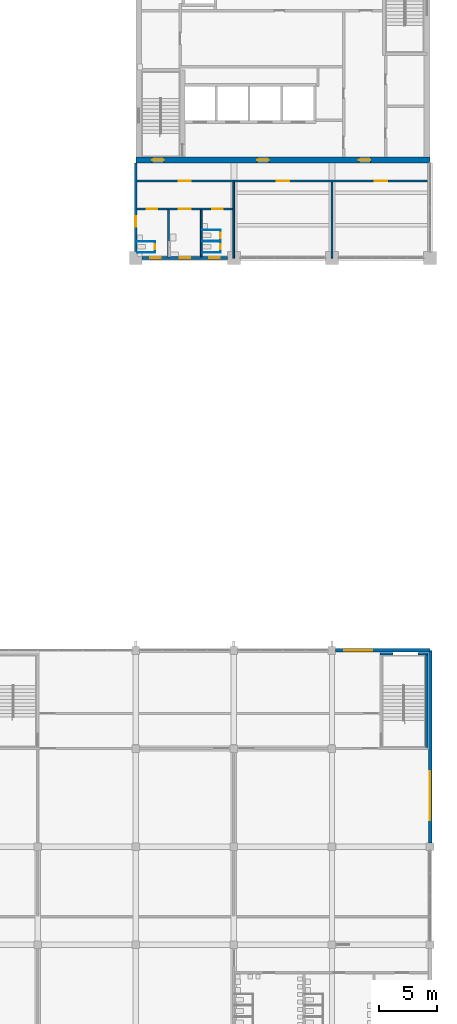
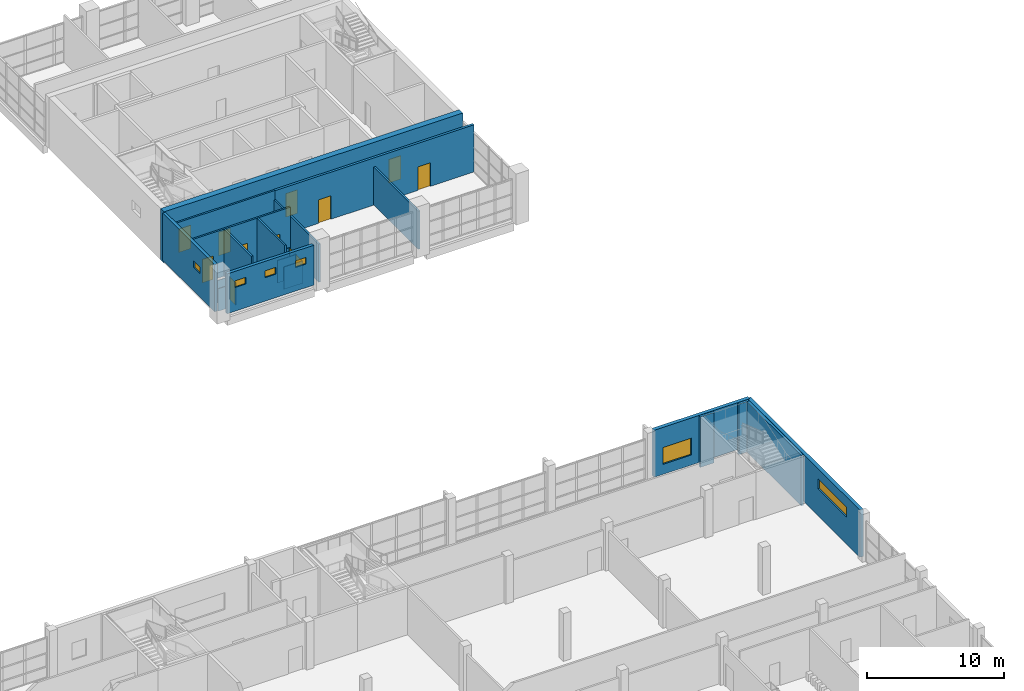
# One storey, part 35 of 64: 24 walls, 12 doors, 6 windows, 18 openings.
"""IFC4 building model written with IfcOpenShell, lengths in metres."""

from ifc_helpers import new_model, si_unit, direction, frame, frame_2d, origin, place, context, subcontext, project, spatial, rectangle, extrude, material, layer, layer_set, type_object, element, fill, save


model = new_model("IFC4")

# Units and contexts
model_context = context("Model", 3, precision=1e-05, world=origin(), true_north=direction((0.0, 1.0)))
body_context = subcontext(model_context, "Body", "Model", "MODEL_VIEW")
ifc_project = project(units=[si_unit("LENGTHUNIT", "METRE"), si_unit("AREAUNIT", "SQUARE_METRE"), si_unit("VOLUMEUNIT", "CUBIC_METRE"), si_unit("PLANEANGLEUNIT", "RADIAN"), si_unit("MASSUNIT", "GRAM", prefix="KILO")], contexts=[model_context])

# Site, building, storey
site_placement = place(None, origin())
site = spatial("IfcSite", under=ifc_project, at=site_placement, CompositionType="ELEMENT")
building_placement = place(site_placement, origin())
building = spatial("IfcBuilding", under=site, at=building_placement, Name="Rulbaag Community and Learning Centre", CompositionType="ELEMENT")
storey_placement = place(building_placement, frame((0.0, 0.0, 5.39990234375)))
storey = spatial("IfcBuildingStorey", under=building, at=storey_placement, Name="L01", CompositionType="ELEMENT", Elevation=5.39990234375)

# Walls
ifc_material_1 = material(Name="High pressure laminate", Category="wood")
ifc_layer_1 = layer(ifc_material_1, 0.0400390625)
ifc_layer_set_1 = layer_set([ifc_layer_1], Name="CP-40")
wall_type_1 = type_object("IfcWallType", Name="CP-40", PredefinedType="PARTITIONING", material=ifc_layer_set_1)
wall_1_placement = place(storey_placement, frame((142.929931640625, 84.5, 0.0), z_axis=(0.0, 0.0, 1.0), x_axis=(1.0, 0.0, 0.0)))
element("IfcWall", 1, at=wall_1_placement, inside=storey, type_object=wall_type_1, Name="Cubicle partition", PredefinedType="PARTITIONING", context=body_context, shape_type="SweptSolid", body=[
    extrude(rectangle(XDim=1.5400390625, YDim=0.0400390625, at=frame_2d((0.77001953125, 0.0))), origin(), (0.0, 0.0, 1.0), 2.0),
])
wall_2_placement = place(storey_placement, frame((142.925048828125, 85.43994140625, 0.0), z_axis=(0.0, 0.0, 1.0), x_axis=(1.0, 0.0, 0.0)))
element("IfcWall", 2, at=wall_2_placement, inside=storey, type_object=wall_type_1, Name="Cubicle partition", PredefinedType="PARTITIONING", context=body_context, shape_type="SweptSolid", body=[
    extrude(rectangle(XDim=1.544921875, YDim=0.0400390625, at=frame_2d((0.7724609375, 0.0))), origin(), (0.0, 0.0, 1.0), 2.0),
])

# Wall, opening, door
wall_3_placement = place(storey_placement, frame((144.449951171875, 84.52001953125, 0.0), z_axis=(0.0, 0.0, 1.0), x_axis=(0.0, 1.0, 0.0)))
wall_3 = element("IfcWall", 3, at=wall_3_placement, inside=storey, type_object=wall_type_1, Name="Cubicle partition", PredefinedType="PARTITIONING", context=body_context, shape_type="SweptSolid", body=[
    extrude(rectangle(XDim=0.89990234375, YDim=0.0400390625, at=frame_2d((0.449951171875, 0.0))), origin(), (0.0, 0.0, 1.0), 2.0),
])
opening_1_placement = place(wall_3_placement, frame((0.050048828125, 0.0, 0.0)))
opening_1 = element("IfcOpeningElement", 4, at=opening_1_placement, cuts=wall_3, Name="Opening L01-D096", PredefinedType="OPENING", context=body_context, shape_type="SweptSolid", body=[
    extrude(rectangle(XDim=0.800048828125, YDim=2.0, at=frame_2d((0.39990234375, 1.0))), frame((0.0, 0.030029296875, 0.0), z_axis=(0.0, -1.0, 0.0), x_axis=(1.0, 0.0, 0.0)), (0.0, 0.0, 1.0), 0.06005859375),
])
door_type_1 = type_object("IfcDoorType", Name="DC-80", OperationType="SINGLE_SWING_LEFT", PredefinedType="DOOR", material=ifc_material_1)
door_1_placement = place(opening_1_placement, origin())
door_1 = element("IfcDoor", 5, at=door_1_placement, inside=storey, type_object=door_type_1, Name="Cubicle door", OperationType="SINGLE_SWING_LEFT", OverallHeight=2.0, OverallWidth=0.800048828125, PredefinedType="DOOR", context=body_context, shape_type="SweptSolid", body=[
    extrude(rectangle(XDim=0.800048828125, YDim=2.0, at=frame_2d((0.39990234375, 1.0))), frame((0.0, 0.019775390625, 0.0), z_axis=(0.0, -1.0, 0.0), x_axis=(1.0, 0.0, 0.0)), (0.0, 0.0, 1.0), 0.03955078125),
])
fill(opening_1, door_1)

# Walls
for number, where, z_axis, x_axis, name in (
    (6, (148.47509765625, 84.5, 0.0), (0.0, 0.0, 1.0), (1.0, 0.0, 0.0), "Cubicle partition"),
    (7, (148.47509765625, 85.43994140625, 0.0), (0.0, 0.0, 1.0), (1.0, 0.0, 0.0), "Cubicle partition"),
):
    element("IfcWall", number, at=place(storey_placement, frame(where, z_axis=z_axis, x_axis=x_axis)), inside=storey, type_object=wall_type_1, Name=name, PredefinedType="PARTITIONING", context=body_context, shape_type="SweptSolid", body=[
        extrude(rectangle(XDim=1.594970703125, YDim=0.0400390625, at=frame_2d((0.79736328125, 0.0))), origin(), (0.0, 0.0, 1.0), 2.0),
    ])

# Wall, opening, door
wall_4_placement = place(storey_placement, frame((150.050048828125, 84.52001953125, 0.0), z_axis=(0.0, 0.0, 1.0), x_axis=(0.0, 1.0, 0.0)))
wall_4 = element("IfcWall", 8, at=wall_4_placement, inside=storey, type_object=wall_type_1, Name="Cubicle partition", PredefinedType="PARTITIONING", context=body_context, shape_type="SweptSolid", body=[
    extrude(rectangle(XDim=0.89990234375, YDim=0.0400390625, at=frame_2d((0.449951171875, 0.0))), origin(), (0.0, 0.0, 1.0), 2.0),
])
opening_2_placement = place(wall_4_placement, frame((0.050048828125, 0.0, 0.0)))
opening_2 = element("IfcOpeningElement", 9, at=opening_2_placement, cuts=wall_4, Name="Opening L01-D107", PredefinedType="OPENING", context=body_context, shape_type="SweptSolid", body=[
    extrude(rectangle(XDim=0.800048828125, YDim=2.0, at=frame_2d((0.39990234375, 1.0))), frame((0.0, 0.030029296875, 0.0), z_axis=(0.0, -1.0, 0.0), x_axis=(1.0, 0.0, 0.0)), (0.0, 0.0, 1.0), 0.06005859375),
])
door_2_placement = place(opening_2_placement, origin())
door_2 = element("IfcDoor", 10, at=door_2_placement, inside=storey, type_object=door_type_1, Name="Cubicle door", OperationType="SINGLE_SWING_LEFT", OverallHeight=2.0, OverallWidth=0.800048828125, PredefinedType="DOOR", context=body_context, shape_type="SweptSolid", body=[
    extrude(rectangle(XDim=0.800048828125, YDim=2.0, at=frame_2d((0.39990234375, 1.0))), frame((0.0, 0.019775390625, 0.0), z_axis=(0.0, -1.0, 0.0), x_axis=(1.0, 0.0, 0.0)), (0.0, 0.0, 1.0), 0.03955078125),
])
fill(opening_2, door_2)

# Walls
for number, where, z_axis, x_axis, name in (
    (11, (148.47509765625, 85.47998046875, 0.0), (0.0, 0.0, 1.0), (1.0, 0.0, 0.0), "Cubicle partition"),
    (12, (148.47509765625, 86.419921875, 0.0), (0.0, 0.0, 1.0), (1.0, 0.0, 0.0), "Cubicle partition"),
):
    element("IfcWall", number, at=place(storey_placement, frame(where, z_axis=z_axis, x_axis=x_axis)), inside=storey, type_object=wall_type_1, Name=name, PredefinedType="PARTITIONING", context=body_context, shape_type="SweptSolid", body=[
        extrude(rectangle(XDim=1.594970703125, YDim=0.0400390625, at=frame_2d((0.79736328125, 0.0))), origin(), (0.0, 0.0, 1.0), 2.0),
    ])

# Wall, opening, door
wall_5_placement = place(storey_placement, frame((150.050048828125, 85.5, 0.0), z_axis=(0.0, 0.0, 1.0), x_axis=(0.0, 1.0, 0.0)))
wall_5 = element("IfcWall", 13, at=wall_5_placement, inside=storey, type_object=wall_type_1, Name="Cubicle partition", PredefinedType="PARTITIONING", context=body_context, shape_type="SweptSolid", body=[
    extrude(rectangle(XDim=0.89990234375, YDim=0.0400390625, at=frame_2d((0.449951171875, 0.0))), origin(), (0.0, 0.0, 1.0), 2.0),
])
opening_3_placement = place(wall_5_placement, frame((0.050048828125, 0.0, 0.0)))
opening_3 = element("IfcOpeningElement", 14, at=opening_3_placement, cuts=wall_5, Name="Opening L01-D108", PredefinedType="OPENING", context=body_context, shape_type="SweptSolid", body=[
    extrude(rectangle(XDim=0.800048828125, YDim=2.0, at=frame_2d((0.39990234375, 1.0))), frame((0.0, 0.030029296875, 0.0), z_axis=(0.0, -1.0, 0.0), x_axis=(1.0, 0.0, 0.0)), (0.0, 0.0, 1.0), 0.06005859375),
])
door_3_placement = place(opening_3_placement, origin())
door_3 = element("IfcDoor", 15, at=door_3_placement, inside=storey, type_object=door_type_1, Name="Cubicle door", OperationType="SINGLE_SWING_LEFT", OverallHeight=2.0, OverallWidth=0.800048828125, PredefinedType="DOOR", context=body_context, shape_type="SweptSolid", body=[
    extrude(rectangle(XDim=0.800048828125, YDim=2.0, at=frame_2d((0.39990234375, 1.0))), frame((0.0, 0.019775390625, 0.0), z_axis=(0.0, -1.0, 0.0), x_axis=(1.0, 0.0, 0.0)), (0.0, 0.0, 1.0), 0.03955078125),
])
fill(opening_3, door_3)

# Wall, openings, windows
ifc_material_2 = material(Name="Concrete M40", Category="concrete")
ifc_layer_2 = layer(ifc_material_2, 0.25)
ifc_layer_set_2 = layer_set([ifc_layer_2], Name="EW-CONC250")
wall_type_2 = type_object("IfcWallType", Name="EW-CONC250", PredefinedType="STANDARD", material=ifc_layer_set_2)
wall_6_placement = place(storey_placement, frame((143.35009765625, 84.0, 0.0), z_axis=(0.0, 0.0, 1.0), x_axis=(1.0, 0.0, 0.0)))
wall_6 = element("IfcWall", 16, at=wall_6_placement, inside=storey, type_object=wall_type_2, Name="Board-marked concrete cladding wall BS", PredefinedType="STANDARD", context=body_context, shape_type="SweptSolid", body=[
    extrude(rectangle(XDim=7.2998046875, YDim=0.25, at=frame_2d((3.64990234375, 0.0))), origin(), (0.0, 0.0, 1.0), 3.550048828125),
])
opening_4_placement = place(wall_6_placement, frame((0.675048828125, 0.0, 2.10009765625)))
opening_4 = element("IfcOpeningElement", 17, at=opening_4_placement, cuts=wall_6, Name="Opening WN5", PredefinedType="OPENING", context=body_context, shape_type="SweptSolid", body=[
    extrude(rectangle(XDim=0.89990234375, YDim=0.60009765625, at=frame_2d((0.449951171875, 0.300048828125))), frame((0.0, 0.135009765625, 0.0), z_axis=(0.0, -1.0, 0.0), x_axis=(1.0, 0.0, 0.0)), (0.0, 0.0, 1.0), 0.27001953125),
])
opening_5_placement = place(wall_6_placement, frame((3.199951171875, 0.0, 2.10009765625)))
opening_5 = element("IfcOpeningElement", 18, at=opening_5_placement, cuts=wall_6, Name="Opening WN5", PredefinedType="OPENING", context=body_context, shape_type="SweptSolid", body=[
    extrude(rectangle(XDim=0.89990234375, YDim=0.60009765625, at=frame_2d((0.449951171875, 0.300048828125))), frame((0.0, 0.135009765625, 0.0), z_axis=(0.0, -1.0, 0.0), x_axis=(1.0, 0.0, 0.0)), (0.0, 0.0, 1.0), 0.27001953125),
])
opening_6_placement = place(wall_6_placement, frame((5.75, 0.0, 2.10009765625)))
opening_6 = element("IfcOpeningElement", 19, at=opening_6_placement, cuts=wall_6, Name="Opening WN5", PredefinedType="OPENING", context=body_context, shape_type="SweptSolid", body=[
    extrude(rectangle(XDim=0.89990234375, YDim=0.60009765625, at=frame_2d((0.449951171875, 0.300048828125))), frame((0.0, 0.135009765625, 0.0), z_axis=(0.0, -1.0, 0.0), x_axis=(1.0, 0.0, 0.0)), (0.0, 0.0, 1.0), 0.27001953125),
])
ifc_material_3 = material(Name="Aluminium", Category="aluminium")
window_type_1 = type_object("IfcWindowType", Name="WK-09", PartitioningType="SINGLE_PANEL", PredefinedType="WINDOW", material=ifc_material_3)
window_1_placement = place(opening_4_placement, origin())
window_1 = element("IfcWindow", 20, at=window_1_placement, inside=storey, type_object=window_type_1, Name="Window WN5", OverallHeight=0.60009765625, OverallWidth=0.89990234375, PartitioningType="SINGLE_PANEL", PredefinedType="WINDOW", context=body_context, shape_type="SweptSolid", body=[
    extrude(rectangle(XDim=0.89990234375, YDim=0.60009765625, at=frame_2d((0.449951171875, 0.300048828125))), frame((0.0, 0.030029296875, 0.0), z_axis=(0.0, -1.0, 0.0), x_axis=(1.0, 0.0, 0.0)), (0.0, 0.0, 1.0), 0.06005859375),
])
fill(opening_4, window_1)
window_2_placement = place(opening_5_placement, origin())
window_2 = element("IfcWindow", 21, at=window_2_placement, inside=storey, type_object=window_type_1, Name="Window WN5", OverallHeight=0.60009765625, OverallWidth=0.89990234375, PartitioningType="SINGLE_PANEL", PredefinedType="WINDOW", context=body_context, shape_type="SweptSolid", body=[
    extrude(rectangle(XDim=0.89990234375, YDim=0.60009765625, at=frame_2d((0.449951171875, 0.300048828125))), frame((0.0, 0.030029296875, 0.0), z_axis=(0.0, -1.0, 0.0), x_axis=(1.0, 0.0, 0.0)), (0.0, 0.0, 1.0), 0.06005859375),
])
fill(opening_5, window_2)
window_3_placement = place(opening_6_placement, origin())
window_3 = element("IfcWindow", 22, at=window_3_placement, inside=storey, type_object=window_type_1, Name="Window WN5", OverallHeight=0.60009765625, OverallWidth=0.89990234375, PartitioningType="SINGLE_PANEL", PredefinedType="WINDOW", context=body_context, shape_type="SweptSolid", body=[
    extrude(rectangle(XDim=0.89990234375, YDim=0.60009765625, at=frame_2d((0.449951171875, 0.300048828125))), frame((0.0, 0.030029296875, 0.0), z_axis=(0.0, -1.0, 0.0), x_axis=(1.0, 0.0, 0.0)), (0.0, 0.0, 1.0), 0.06005859375),
])
fill(opening_6, window_3)

# Wall, opening, window
wall_7_placement = place(storey_placement, frame((142.800048828125, 84.550048828125, 0.0), z_axis=(0.0, 0.0, 1.0), x_axis=(0.0, 1.0, 0.0)))
wall_7 = element("IfcWall", 23, at=wall_7_placement, inside=storey, type_object=wall_type_2, Name="Board-marked concrete cladding wall BW", PredefinedType="STANDARD", context=body_context, shape_type="SweptSolid", body=[
    extrude(rectangle(XDim=7.599853515625, YDim=0.25, at=frame_2d((3.7998046875, 0.0))), origin(), (0.0, 0.0, 1.0), 4.2001953125),
])
opening_7_placement = place(wall_7_placement, frame((2.14990234375, 0.0, 2.10009765625)))
opening_7 = element("IfcOpeningElement", 24, at=opening_7_placement, cuts=wall_7, Name="Opening WN5", PredefinedType="OPENING", context=body_context, shape_type="SweptSolid", body=[
    extrude(rectangle(XDim=0.89990234375, YDim=0.60009765625, at=frame_2d((0.449951171875, 0.300048828125))), frame((0.0, 0.135009765625, 0.0), z_axis=(0.0, -1.0, 0.0), x_axis=(1.0, 0.0, 0.0)), (0.0, 0.0, 1.0), 0.27001953125),
])
window_4_placement = place(opening_7_placement, origin())
window_4 = element("IfcWindow", 25, at=window_4_placement, inside=storey, type_object=window_type_1, Name="Window WN5", OverallHeight=0.60009765625, OverallWidth=0.89990234375, PartitioningType="SINGLE_PANEL", PredefinedType="WINDOW", context=body_context, shape_type="SweptSolid", body=[
    extrude(rectangle(XDim=0.89990234375, YDim=0.60009765625, at=frame_2d((0.449951171875, 0.300048828125))), frame((0.0, 0.030029296875, 0.0), z_axis=(0.0, -1.0, 0.0), x_axis=(1.0, 0.0, 0.0)), (0.0, 0.0, 1.0), 0.06005859375),
])
fill(opening_7, window_4)

ifc_layer_3 = layer(ifc_material_2, 0.300048828125)
ifc_layer_set_3 = layer_set([ifc_layer_3], Name="EW-CONC300")
wall_type_3 = type_object("IfcWallType", Name="EW-CONC300", PredefinedType="STANDARD", material=ifc_layer_set_3)
wall_8_placement = place(storey_placement, frame((159.925048828125, 50.39990234375, 0.0), z_axis=(0.0, 0.0, 1.0), x_axis=(1.0, 0.0, 0.0)))
wall_8 = element("IfcWall", 26, at=wall_8_placement, inside=storey, type_object=wall_type_3, Name="Board-marked concrete cladding wall AN", PredefinedType="STANDARD", context=body_context, shape_type="SweptSolid", body=[
    extrude(rectangle(XDim=8.074951171875, YDim=0.300048828125, at=frame_2d((4.03759765625, 0.0))), origin(), (0.0, 0.0, 1.0), 4.2001953125),
])
opening_8_placement = place(wall_8_placement, frame((0.737548828125, 0.0, 0.89990234375)))
opening_8 = element("IfcOpeningElement", 27, at=opening_8_placement, cuts=wall_8, Name="Opening WN17", PredefinedType="OPENING", context=body_context, shape_type="SweptSolid", body=[
    extrude(rectangle(XDim=2.39990234375, YDim=1.5, at=frame_2d((1.199951171875, 0.75))), frame((0.0, 0.159912109375, 0.0), z_axis=(0.0, -1.0, 0.0), x_axis=(1.0, 0.0, 0.0)), (0.0, 0.0, 1.0), 0.320068359375),
])
window_type_2 = type_object("IfcWindowType", Name="WN-24", PartitioningType="DOUBLE_PANEL_VERTICAL", PredefinedType="WINDOW", material=ifc_material_3)
window_5_placement = place(opening_8_placement, origin())
window_5 = element("IfcWindow", 28, at=window_5_placement, inside=storey, type_object=window_type_2, Name="Window WN17", OverallHeight=1.5, OverallWidth=2.39990234375, PartitioningType="SINGLE_PANEL", PredefinedType="WINDOW", context=body_context, shape_type="SweptSolid", body=[
    extrude(rectangle(XDim=2.39990234375, YDim=1.5, at=frame_2d((1.199951171875, 0.75))), frame((0.0, 0.030029296875, 0.0), z_axis=(0.0, -1.0, 0.0), x_axis=(1.0, 0.0, 0.0)), (0.0, 0.0, 1.0), 0.06005859375),
])
fill(opening_8, window_5)

wall_9_placement = place(storey_placement, frame((168.0, 33.925048828125, 0.0), z_axis=(0.0, 0.0, 1.0), x_axis=(0.0, 1.0, 0.0)))
wall_9 = element("IfcWall", 29, at=wall_9_placement, inside=storey, type_object=wall_type_3, Name="Board-marked concrete cladding wall AE", PredefinedType="STANDARD", context=body_context, shape_type="SweptSolid", body=[
    extrude(rectangle(XDim=16.474853515625, YDim=0.300048828125, at=frame_2d((8.2373046875, 0.0))), origin(), (0.0, 0.0, 1.0), 4.2001953125),
])
opening_9_placement = place(wall_9_placement, frame((1.9375, 0.0, 2.39990234375)))
opening_9 = element("IfcOpeningElement", 30, at=opening_9_placement, cuts=wall_9, Name="Opening WN13", PredefinedType="OPENING", context=body_context, shape_type="SweptSolid", body=[
    extrude(rectangle(XDim=4.199951171875, YDim=0.89990234375, at=frame_2d((2.10009765625, 0.449951171875))), frame((0.0, 0.159912109375, 0.0), z_axis=(0.0, -1.0, 0.0), x_axis=(1.0, 0.0, 0.0)), (0.0, 0.0, 1.0), 0.320068359375),
])
window_type_3 = type_object("IfcWindowType", Name="WL-42", PartitioningType="TRIPLE_PANEL_VERTICAL", PredefinedType="WINDOW", material=ifc_material_3)
window_6_placement = place(opening_9_placement, origin())
window_6 = element("IfcWindow", 31, at=window_6_placement, inside=storey, type_object=window_type_3, Name="Window WN13", OverallHeight=0.89990234375, OverallWidth=4.199951171875, PartitioningType="SINGLE_PANEL", PredefinedType="WINDOW", context=body_context, shape_type="SweptSolid", body=[
    extrude(rectangle(XDim=4.199951171875, YDim=0.89990234375, at=frame_2d((2.10009765625, 0.449951171875))), frame((0.0, 0.030029296875, 0.0), z_axis=(0.0, -1.0, 0.0), x_axis=(1.0, 0.0, 0.0)), (0.0, 0.0, 1.0), 0.06005859375),
])
fill(opening_9, window_6)

# Wall, openings, doors
ifc_material_4 = material(Name="Concrete blockwork", Category="masonry")
ifc_layer_4 = layer(ifc_material_4, 0.199951171875)
ifc_layer_set_4 = layer_set([ifc_layer_4], Name="FW-200 FIRE WALL 200")
wall_type_4 = type_object("IfcWallType", Name="FW-200 FIRE WALL 200", PredefinedType="SOLIDWALL", material=ifc_layer_set_4)
wall_10_placement = place(storey_placement, frame((151.199951171875, 90.60009765625, 0.0), z_axis=(0.0, 0.0, 1.0), x_axis=(1.0, 0.0, 0.0)))
wall_10 = element("IfcWall", 32, at=wall_10_placement, inside=storey, type_object=wall_type_4, Name="Fire wall L01 39", PredefinedType="SOLIDWALL", context=body_context, shape_type="SweptSolid", body=[
    extrude(rectangle(XDim=16.800048828125, YDim=0.199951171875, at=frame_2d((8.39990234375, 0.0))), origin(), (0.0, 0.0, 1.0), 4.2001953125),
])
opening_10_placement = place(wall_10_placement, frame((3.675048828125, 0.0, 0.0)))
opening_10 = element("IfcOpeningElement", 33, at=opening_10_placement, cuts=wall_10, Name="Opening L01-D127", PredefinedType="OPENING", context=body_context, shape_type="SweptSolid", body=[
    extrude(rectangle(XDim=1.050048828125, YDim=2.10009765625, at=frame_2d((0.52490234375, 1.050048828125))), frame((0.0, 0.10986328125, 0.0), z_axis=(0.0, -1.0, 0.0), x_axis=(1.0, 0.0, 0.0)), (0.0, 0.0, 1.0), 0.219970703125),
])
opening_11_placement = place(wall_10_placement, frame((12.074951171875, 0.0, 0.0)))
opening_11 = element("IfcOpeningElement", 34, at=opening_11_placement, cuts=wall_10, Name="Opening L01-D155", PredefinedType="OPENING", context=body_context, shape_type="SweptSolid", body=[
    extrude(rectangle(XDim=1.050048828125, YDim=2.10009765625, at=frame_2d((0.52490234375, 1.050048828125))), frame((0.0, 0.10986328125, 0.0), z_axis=(0.0, -1.0, 0.0), x_axis=(1.0, 0.0, 0.0)), (0.0, 0.0, 1.0), 0.219970703125),
])
ifc_material_5 = material(Name="Timber", Category="wood")
door_type_2 = type_object("IfcDoorType", Name="FD-1050 GLAZED MEETING ROOM FIRE DOOR 1050 x 2100", OperationType="SINGLE_SWING_LEFT", PredefinedType="DOOR", material=ifc_material_5)
door_4_placement = place(opening_10_placement, origin())
door_4 = element("IfcDoor", 35, at=door_4_placement, inside=storey, type_object=door_type_2, Name="Door L01-D127", OperationType="SINGLE_SWING_LEFT", OverallHeight=2.10009765625, OverallWidth=1.050048828125, PredefinedType="DOOR", context=body_context, shape_type="SweptSolid", body=[
    extrude(rectangle(XDim=1.050048828125, YDim=2.10009765625, at=frame_2d((0.52490234375, 1.050048828125))), frame((0.0, 0.02490234375, 0.0), z_axis=(0.0, -1.0, 0.0), x_axis=(1.0, 0.0, 0.0)), (0.0, 0.0, 1.0), 0.050048828125),
])
fill(opening_10, door_4)
door_5_placement = place(opening_11_placement, origin())
door_5 = element("IfcDoor", 36, at=door_5_placement, inside=storey, type_object=door_type_2, Name="Door L01-D155", OperationType="SINGLE_SWING_RIGHT", OverallHeight=2.10009765625, OverallWidth=1.050048828125, PredefinedType="DOOR", context=body_context, shape_type="SweptSolid", body=[
    extrude(rectangle(XDim=1.050048828125, YDim=2.10009765625, at=frame_2d((0.52490234375, 1.050048828125))), frame((0.0, 0.02490234375, 0.0), z_axis=(0.0, -1.0, 0.0), x_axis=(1.0, 0.0, 0.0)), (0.0, 0.0, 1.0), 0.050048828125),
])
fill(opening_11, door_5)

ifc_layer_5 = layer(ifc_material_4, 0.14990234375)
ifc_layer_set_5 = layer_set([ifc_layer_5], Name="IP-150 PARTITION 150")
wall_type_5 = type_object("IfcWallType", Name="IP-150 PARTITION 150", PredefinedType="PARTITIONING", material=ifc_layer_set_5)
wall_11_placement = place(storey_placement, frame((142.925048828125, 88.199951171875, 0.0), z_axis=(0.0, 0.0, 1.0), x_axis=(1.0, 0.0, 0.0)))
wall_11 = element("IfcWall", 37, at=wall_11_placement, inside=storey, type_object=wall_type_5, Name="Partition L01 37", PredefinedType="PARTITIONING", context=body_context, shape_type="SweptSolid", body=[
    extrude(rectangle(XDim=8.199951171875, YDim=0.14990234375, at=frame_2d((4.10009765625, 0.0))), origin(), (0.0, 0.0, 1.0), 4.2001953125),
])
opening_12_placement = place(wall_11_placement, frame((0.824951171875, 0.0, 0.0)))
opening_12 = element("IfcOpeningElement", 38, at=opening_12_placement, cuts=wall_11, Name="Opening L01-D095", PredefinedType="OPENING", context=body_context, shape_type="SweptSolid", body=[
    extrude(rectangle(XDim=0.89990234375, YDim=2.10009765625, at=frame_2d((0.449951171875, 1.050048828125))), frame((0.0, 0.0849609375, 0.0), z_axis=(0.0, -1.0, 0.0), x_axis=(1.0, 0.0, 0.0)), (0.0, 0.0, 1.0), 0.169921875),
])
opening_13_placement = place(wall_11_placement, frame((3.550048828125, 0.0, 0.0)))
opening_13 = element("IfcOpeningElement", 39, at=opening_13_placement, cuts=wall_11, Name="Opening L01-D102", PredefinedType="OPENING", context=body_context, shape_type="SweptSolid", body=[
    extrude(rectangle(XDim=1.050048828125, YDim=2.25, at=frame_2d((0.52490234375, 1.125))), frame((0.0, 0.0849609375, 0.0), z_axis=(0.0, -1.0, 0.0), x_axis=(1.0, 0.0, 0.0)), (0.0, 0.0, 1.0), 0.169921875),
])
opening_14_placement = place(wall_11_placement, frame((6.425048828125, 0.0, 0.0)))
opening_14 = element("IfcOpeningElement", 40, at=opening_14_placement, cuts=wall_11, Name="Opening L01-D106", PredefinedType="OPENING", context=body_context, shape_type="SweptSolid", body=[
    extrude(rectangle(XDim=0.89990234375, YDim=2.10009765625, at=frame_2d((0.449951171875, 1.050048828125))), frame((0.0, 0.0849609375, 0.0), z_axis=(0.0, -1.0, 0.0), x_axis=(1.0, 0.0, 0.0)), (0.0, 0.0, 1.0), 0.169921875),
])
door_type_3 = type_object("IfcDoorType", Name="D-1050 ACCESSIBLE TOILET DOOR 1050 x 2250", OperationType="SINGLE_SWING_LEFT", PredefinedType="DOOR", material=ifc_material_5)
door_6_placement = place(opening_13_placement, origin())
door_6 = element("IfcDoor", 41, at=door_6_placement, inside=storey, type_object=door_type_3, Name="Door L01-D102", OperationType="SINGLE_SWING_LEFT", OverallHeight=2.25, OverallWidth=1.050048828125, PredefinedType="DOOR", context=body_context, shape_type="SweptSolid", body=[
    extrude(rectangle(XDim=1.050048828125, YDim=2.25, at=frame_2d((0.52490234375, 1.125))), frame((0.0, 0.02490234375, 0.0), z_axis=(0.0, -1.0, 0.0), x_axis=(1.0, 0.0, 0.0)), (0.0, 0.0, 1.0), 0.050048828125),
])
fill(opening_13, door_6)
door_type_4 = type_object("IfcDoorType", Name="DW-900 TOILET DOOR 900 x 2100", OperationType="SINGLE_SWING_LEFT", PredefinedType="DOOR", material=ifc_material_5)
door_7_placement = place(opening_12_placement, origin())
door_7 = element("IfcDoor", 42, at=door_7_placement, inside=storey, type_object=door_type_4, Name="Door L01-D095", OperationType="SINGLE_SWING_LEFT", OverallHeight=2.10009765625, OverallWidth=0.89990234375, PredefinedType="DOOR", context=body_context, shape_type="SweptSolid", body=[
    extrude(rectangle(XDim=0.89990234375, YDim=2.10009765625, at=frame_2d((0.449951171875, 1.050048828125))), frame((0.0, 0.02490234375, 0.0), z_axis=(0.0, -1.0, 0.0), x_axis=(1.0, 0.0, 0.0)), (0.0, 0.0, 1.0), 0.050048828125),
])
fill(opening_12, door_7)
door_8_placement = place(opening_14_placement, origin())
door_8 = element("IfcDoor", 43, at=door_8_placement, inside=storey, type_object=door_type_4, Name="Door L01-D106", OperationType="SINGLE_SWING_RIGHT", OverallHeight=2.10009765625, OverallWidth=0.89990234375, PredefinedType="DOOR", context=body_context, shape_type="SweptSolid", body=[
    extrude(rectangle(XDim=0.89990234375, YDim=2.10009765625, at=frame_2d((0.449951171875, 1.050048828125))), frame((0.0, 0.02490234375, 0.0), z_axis=(0.0, -1.0, 0.0), x_axis=(1.0, 0.0, 0.0)), (0.0, 0.0, 1.0), 0.050048828125),
])
fill(opening_14, door_8)

# Wall, opening, door
wall_12_placement = place(storey_placement, frame((142.925048828125, 90.60009765625, 0.0), z_axis=(0.0, 0.0, 1.0), x_axis=(1.0, 0.0, 0.0)))
wall_12 = element("IfcWall", 44, at=wall_12_placement, inside=storey, type_object=wall_type_5, Name="Partition L01 38", PredefinedType="PARTITIONING", context=body_context, shape_type="SweptSolid", body=[
    extrude(rectangle(XDim=8.27490234375, YDim=0.14990234375, at=frame_2d((4.137451171875, 0.0))), origin(), (0.0, 0.0, 1.0), 4.2001953125),
])
opening_15_placement = place(wall_12_placement, frame((3.574951171875, 0.0, 0.0)))
opening_15 = element("IfcOpeningElement", 45, at=opening_15_placement, cuts=wall_12, Name="Opening L01-D103", PredefinedType="OPENING", context=body_context, shape_type="SweptSolid", body=[
    extrude(rectangle(XDim=1.0, YDim=2.10009765625, at=frame_2d((0.5, 1.050048828125))), frame((0.0, 0.0849609375, 0.0), z_axis=(0.0, -1.0, 0.0), x_axis=(1.0, 0.0, 0.0)), (0.0, 0.0, 1.0), 0.169921875),
])
door_type_5 = type_object("IfcDoorType", Name="D-1000 DOOR 1000 x 2100", OperationType="SINGLE_SWING_LEFT", PredefinedType="DOOR", material=ifc_material_5)
door_9_placement = place(opening_15_placement, origin())
door_9 = element("IfcDoor", 46, at=door_9_placement, inside=storey, type_object=door_type_5, Name="Door L01-D103", OperationType="SINGLE_SWING_RIGHT", OverallHeight=2.10009765625, OverallWidth=1.0, PredefinedType="DOOR", context=body_context, shape_type="SweptSolid", body=[
    extrude(rectangle(XDim=1.0, YDim=2.10009765625, at=frame_2d((0.5, 1.050048828125))), frame((0.0, 0.02490234375, 0.0), z_axis=(0.0, -1.0, 0.0), x_axis=(1.0, 0.0, 0.0)), (0.0, 0.0, 1.0), 0.050048828125),
])
fill(opening_15, door_9)

# Walls
for number, where, z_axis, x_axis, name in (
    (47, (145.60009765625, 84.125, 0.0), (0.0, 0.0, 1.0), (0.0, 1.0, 0.0), "Partition L01 76"),
    (48, (148.39990234375, 84.125, 0.0), (0.0, 0.0, 1.0), (0.0, 1.0, 0.0), "Partition L01 79"),
):
    element("IfcWall", number, at=place(storey_placement, frame(where, z_axis=z_axis, x_axis=x_axis)), inside=storey, type_object=wall_type_5, Name=name, PredefinedType="PARTITIONING", context=body_context, shape_type="SweptSolid", body=[
        extrude(rectangle(XDim=4.0, YDim=0.14990234375, at=frame_2d((2.0, 0.0))), origin(), (0.0, 0.0, 1.0), 4.2001953125),
    ])
for number, where, z_axis, x_axis, name in (
    (49, (151.199951171875, 84.0, 0.0), (0.0, 0.0, 1.0), (0.0, 1.0, 0.0), "Partition L01 85"),
    (50, (159.60009765625, 84.0, 0.0), (0.0, 0.0, 1.0), (0.0, 1.0, 0.0), "Partition L01 89"),
):
    element("IfcWall", number, at=place(storey_placement, frame(where, z_axis=z_axis, x_axis=x_axis)), inside=storey, type_object=wall_type_5, Name=name, PredefinedType="PARTITIONING", context=body_context, shape_type="SweptSolid", body=[
        extrude(rectangle(XDim=6.5, YDim=0.14990234375, at=frame_2d((3.25, 0.0))), origin(), (0.0, 0.0, 1.0), 3.400146484375),
    ])

# Wall, openings, doors
ifc_material_6 = material(Name="Concrete M60", Category="concrete")
ifc_layer_6 = layer(ifc_material_6, 0.5)
ifc_layer_set_6 = layer_set([ifc_layer_6], Name="W4 Core wall 500 Concrete M60")
wall_type_6 = type_object("IfcWallType", Name="W4 Core wall 500 Concrete M60", PredefinedType="SHEAR", material=ifc_layer_set_6)
wall_13_placement = place(storey_placement, frame((142.800048828125, 92.39990234375, -0.2998046875), z_axis=(0.0, 0.0, 1.0), x_axis=(1.0, 0.0, 0.0)))
wall_13 = element("IfcWall", 51, at=wall_13_placement, inside=storey, type_object=wall_type_6, Name="WL-CORE-S-L01", PredefinedType="SHEAR", context=body_context, shape_type="SweptSolid", body=[
    extrude(rectangle(XDim=25.199951171875, YDim=0.5, at=frame_2d((12.60009765625, 0.0))), origin(), (0.0, 0.0, 1.0), 4.5498046875),
])
opening_16_placement = place(wall_13_placement, frame((1.39990234375, 0.0, 0.300048828125)))
opening_16 = element("IfcOpeningElement", 52, at=opening_16_placement, cuts=wall_13, Name="Opening L01-D097", PredefinedType="OPENING", context=body_context, shape_type="SweptSolid", body=[
    extrude(rectangle(XDim=1.0, YDim=2.10009765625, at=frame_2d((0.5, 1.050048828125))), frame((0.0, 0.260009765625, 0.0), z_axis=(0.0, -1.0, 0.0), x_axis=(1.0, 0.0, 0.0)), (0.0, 0.0, 1.0), 0.52001953125),
])
opening_17_placement = place(wall_13_placement, frame((19.10009765625, 0.0, 0.300048828125)))
opening_17 = element("IfcOpeningElement", 53, at=opening_17_placement, cuts=wall_13, Name="Opening L01-D150", PredefinedType="OPENING", context=body_context, shape_type="SweptSolid", body=[
    extrude(rectangle(XDim=1.0, YDim=2.10009765625, at=frame_2d((0.5, 1.050048828125))), frame((0.0, 0.260009765625, 0.0), z_axis=(0.0, -1.0, 0.0), x_axis=(1.0, 0.0, 0.0)), (0.0, 0.0, 1.0), 0.52001953125),
])
opening_18_placement = place(wall_13_placement, frame((10.39990234375, 0.0, 0.300048828125)))
opening_18 = element("IfcOpeningElement", 54, at=opening_18_placement, cuts=wall_13, Name="Opening L01-D122", PredefinedType="OPENING", context=body_context, shape_type="SweptSolid", body=[
    extrude(rectangle(XDim=1.0, YDim=2.10009765625, at=frame_2d((0.5, 1.050048828125))), frame((0.0, 0.260009765625, 0.0), z_axis=(0.0, -1.0, 0.0), x_axis=(1.0, 0.0, 0.0)), (0.0, 0.0, 1.0), 0.52001953125),
])
door_10_placement = place(opening_17_placement, origin())
door_10 = element("IfcDoor", 55, at=door_10_placement, inside=storey, type_object=door_type_5, Name="Door L01-D150", OperationType="SINGLE_SWING_LEFT", OverallHeight=2.10009765625, OverallWidth=1.0, PredefinedType="DOOR", context=body_context, shape_type="SweptSolid", body=[
    extrude(rectangle(XDim=1.0, YDim=2.10009765625, at=frame_2d((0.5, 1.050048828125))), frame((0.0, 0.02490234375, 0.0), z_axis=(0.0, -1.0, 0.0), x_axis=(1.0, 0.0, 0.0)), (0.0, 0.0, 1.0), 0.050048828125),
])
fill(opening_17, door_10)
ifc_material_7 = material(Name="Galvanised steel", Category="steel")
door_type_6 = type_object("IfcDoorType", Name="FD-1000 FIRE DOOR 1000 x 2100", OperationType="SINGLE_SWING_LEFT", PredefinedType="DOOR", material=ifc_material_7)
door_11_placement = place(opening_16_placement, origin())
door_11 = element("IfcDoor", 56, at=door_11_placement, inside=storey, type_object=door_type_6, Name="Door L01-D097", OperationType="SINGLE_SWING_RIGHT", OverallHeight=2.10009765625, OverallWidth=1.0, PredefinedType="DOOR", context=body_context, shape_type="SweptSolid", body=[
    extrude(rectangle(XDim=1.0, YDim=2.10009765625, at=frame_2d((0.5, 1.050048828125))), frame((0.0, 0.02490234375, 0.0), z_axis=(0.0, -1.0, 0.0), x_axis=(1.0, 0.0, 0.0)), (0.0, 0.0, 1.0), 0.050048828125),
])
fill(opening_16, door_11)
door_12_placement = place(opening_18_placement, origin())
door_12 = element("IfcDoor", 57, at=door_12_placement, inside=storey, type_object=door_type_6, Name="Door L01-D122", OperationType="SINGLE_SWING_RIGHT", OverallHeight=2.10009765625, OverallWidth=1.0, PredefinedType="DOOR", context=body_context, shape_type="SweptSolid", body=[
    extrude(rectangle(XDim=1.0, YDim=2.10009765625, at=frame_2d((0.5, 1.050048828125))), frame((0.0, 0.02490234375, 0.0), z_axis=(0.0, -1.0, 0.0), x_axis=(1.0, 0.0, 0.0)), (0.0, 0.0, 1.0), 0.050048828125),
])
fill(opening_18, door_12)

# Walls
ifc_layer_7 = layer(ifc_material_2, 0.199951171875)
ifc_layer_set_7 = layer_set([ifc_layer_7], Name="WSE Stair enclosure wall 200 Concrete M40")
wall_type_7 = type_object("IfcWallType", Name="WSE Stair enclosure wall 200 Concrete M40", PredefinedType="SHEAR", material=ifc_layer_set_7)
wall_14_placement = place(storey_placement, frame((163.699951171875, 50.125, -0.2998046875), z_axis=(0.0, 0.0, 1.0), x_axis=(1.0, 0.0, 0.0)))
element("IfcWall", 58, at=wall_14_placement, inside=storey, type_object=wall_type_7, Name="Stair enclosure wall SH4 N L01", PredefinedType="SHEAR", context=body_context, shape_type="SweptSolid", body=[
    extrude(rectangle(XDim=1.150146484375, YDim=0.199951171875, at=frame_2d((0.5751953125, 0.0))), origin(), (0.0, 0.0, 1.0), 4.5),
])
wall_15_placement = place(storey_placement, frame((166.949951171875, 50.125, -0.2998046875), z_axis=(0.0, 0.0, 1.0), x_axis=(1.0, 0.0, 0.0)))
element("IfcWall", 59, at=wall_15_placement, inside=storey, type_object=wall_type_7, Name="Stair enclosure wall SH4 N L01", PredefinedType="SHEAR", context=body_context, shape_type="SweptSolid", body=[
    extrude(rectangle(XDim=0.875, YDim=0.199951171875, at=frame_2d((0.4375, 0.0))), origin(), (0.0, 0.0, 1.0), 4.5),
])
wall_16_placement = place(storey_placement, frame((167.72509765625, 42.10009765625, -0.2998046875), z_axis=(0.0, 0.0, 1.0), x_axis=(0.0, 1.0, 0.0)))
element("IfcWall", 60, at=wall_16_placement, inside=storey, type_object=wall_type_7, Name="Stair enclosure wall SH4 E L01", PredefinedType="SHEAR", context=body_context, shape_type="SweptSolid", body=[
    extrude(rectangle(XDim=7.9248046875, YDim=0.199951171875, at=frame_2d((3.96240234375, 0.0))), origin(), (0.0, 0.0, 1.0), 4.5),
])

save(model, "model.ifc")
